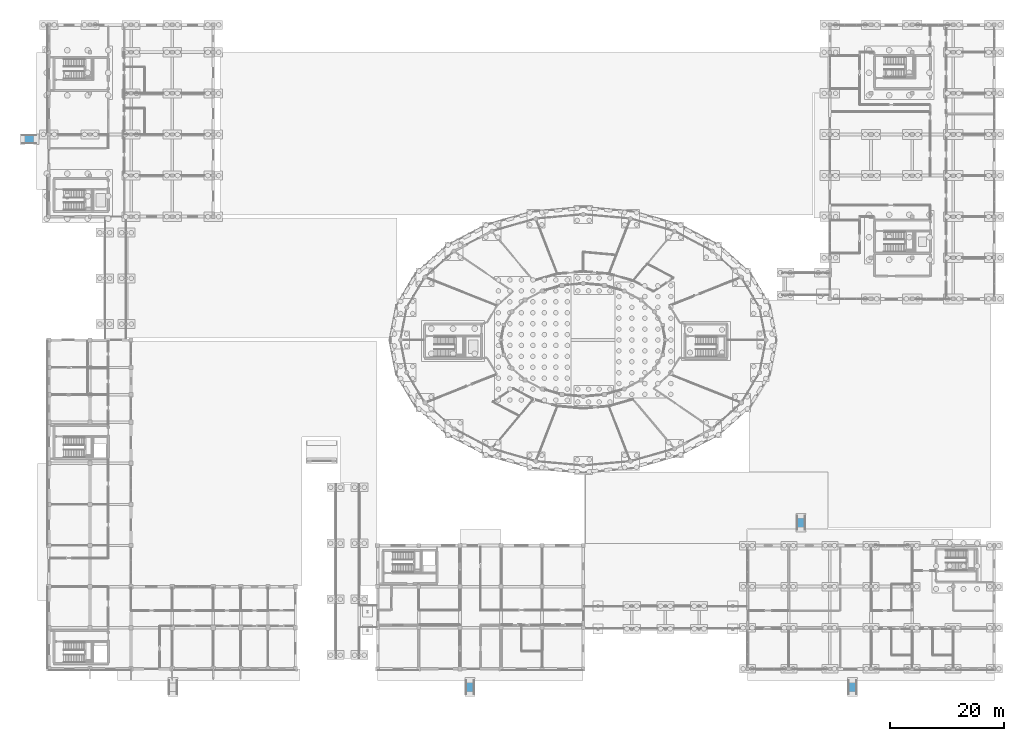
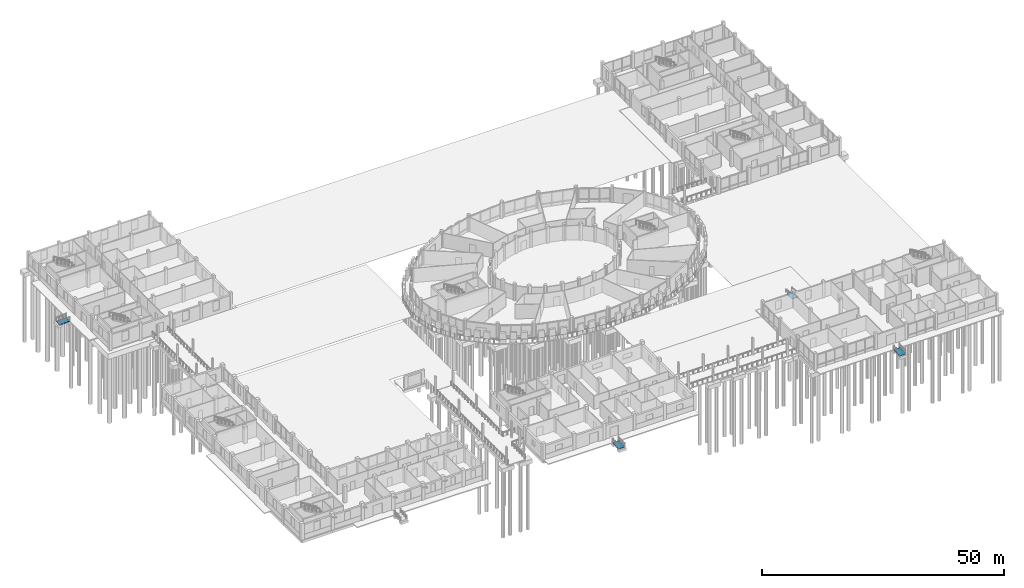
# One storey, part 87 of 98: 4 ramp flights, 4 elements without a shape of their own.
"""IFC4 building model written with IfcOpenShell, lengths in metres."""

from ifc_helpers import new_model, si_unit, direction, frame, origin, place, context, subcontext, project, spatial, polyline, outline, extrude, material, layer, layer_set, type_object, element, aggregate, save


model = new_model("IFC4")

# Units and contexts
model_context = context("Model", 3, precision=1e-05, world=origin(), true_north=direction((0.0, 1.0)))
body_context = subcontext(model_context, "Body", "Model", "MODEL_VIEW")
ifc_project = project(units=[si_unit("LENGTHUNIT", "METRE"), si_unit("AREAUNIT", "SQUARE_METRE"), si_unit("VOLUMEUNIT", "CUBIC_METRE"), si_unit("PLANEANGLEUNIT", "RADIAN"), si_unit("MASSUNIT", "GRAM", prefix="KILO")], contexts=[model_context])

# Site, building, storey
site_placement = place(None, origin())
site = spatial("IfcSite", under=ifc_project, at=site_placement, CompositionType="ELEMENT")
building_placement = place(site_placement, origin())
building = spatial("IfcBuilding", under=site, at=building_placement, Name="Zornivar Specialist Clinic", CompositionType="ELEMENT")
storey_placement = place(building_placement, origin())
storey = spatial("IfcBuildingStorey", under=building, at=storey_placement, Name="L00", CompositionType="ELEMENT", Elevation=0.0)

# Ramp, ramp flight
ifc_material_1 = material(Name="Concrete C30/37", Category="concrete")
ramp_type = type_object("IfcRampType", Name="RMP-PED-1500", PredefinedType="STRAIGHT_RUN_RAMP", material=ifc_material_1)
ramp_1_placement = place(storey_placement, origin())
ramp_1 = element("IfcRamp", 1, at=ramp_1_placement, inside=storey, type_object=ramp_type, Name="ramp:ped:L00:PR2", PredefinedType="STRAIGHT_RUN_RAMP")
ifc_material_2 = material(Name="Concrete C30/37", Category="concrete")
ifc_layer = layer(ifc_material_2, 0.199951171875)
ifc_layer_set = layer_set([ifc_layer], Name="Concrete C30/37")
ramp_flight_type = type_object("IfcRampFlightType", Name="RMP-PED-1500-FLT", PredefinedType="STRAIGHT", material=ifc_layer_set)
ramp_flight_1_placement = place(storey_placement, frame((73.0, -4.39990234375, -0.179931640625), z_axis=(0.0, -0.074764728906, 0.997201201018), x_axis=(1.0, 0.0, 0.0)))
ramp_flight_1 = element("IfcRampFlight", 2, at=ramp_flight_1_placement, type_object=ramp_flight_type, Name="ramp:ped:L00:PR2:flt", PredefinedType="STRAIGHT", context=body_context, shape_type="SweptSolid", body=[
    extrude(outline(polyline([(0.0, 0.0), (1.5, 0.0), (1.5, 2.4066380398461975), (0.0, 2.4066380398461975), (0.0, 0.0)])), origin(), (0.0, 0.0, -1.0), 0.199951171875),
])
aggregate(ramp_1, [ramp_flight_1])

ramp_2_placement = place(storey_placement, origin())
ramp_2 = element("IfcRamp", 3, at=ramp_2_placement, inside=storey, type_object=ramp_type, Name="ramp:ped:L00:PR3", PredefinedType="STRAIGHT_RUN_RAMP")
ramp_flight_2_placement = place(storey_placement, frame((140.0, -4.39990234375, -0.179931640625), z_axis=(0.0, -0.074764728906, 0.997201201018), x_axis=(1.0, 0.0, 0.0)))
ramp_flight_2 = element("IfcRampFlight", 4, at=ramp_flight_2_placement, type_object=ramp_flight_type, Name="ramp:ped:L00:PR3:flt", PredefinedType="STRAIGHT", context=body_context, shape_type="SweptSolid", body=[
    extrude(outline(polyline([(0.0, 0.0), (1.5, 0.0), (1.5, 2.4066380398461975), (0.0, 2.4066380398461975), (0.0, 0.0)])), origin(), (0.0, 0.0, -1.0), 0.199951171875),
])
aggregate(ramp_2, [ramp_flight_2])

ramp_3_placement = place(storey_placement, origin())
ramp_3 = element("IfcRamp", 5, at=ramp_3_placement, inside=storey, type_object=ramp_type, Name="ramp:ped:L00:PR4", PredefinedType="STRAIGHT_RUN_RAMP")
ramp_flight_3_placement = place(storey_placement, frame((-4.60009765625, 92.0, -0.179931640625), z_axis=(-0.074757166413, 0.0, 0.997201767984), x_axis=(0.0, 1.0, 0.0)))
ramp_flight_3 = element("IfcRampFlight", 6, at=ramp_flight_3_placement, type_object=ramp_flight_type, Name="ramp:ped:L00:PR4:flt", PredefinedType="STRAIGHT", context=body_context, shape_type="SweptSolid", body=[
    extrude(outline(polyline([(0.0, 0.0), (1.5, 0.0), (1.5, -2.406881497239878), (0.0, -2.406881497239878), (0.0, 0.0)])), origin(), (0.0, 0.0, -1.0), 0.199951171875),
])
aggregate(ramp_3, [ramp_flight_3])

ramp_4_placement = place(storey_placement, origin())
ramp_4 = element("IfcRamp", 7, at=ramp_4_placement, inside=storey, type_object=ramp_type, Name="ramp:ped:L00:PR5", PredefinedType="STRAIGHT_RUN_RAMP")
ramp_flight_4_placement = place(storey_placement, frame((131.0, 26.800048828125, -0.179931640625), z_axis=(0.0, 0.074757166413, 0.997201767984), x_axis=(1.0, 0.0, 0.0)))
ramp_flight_4 = element("IfcRampFlight", 8, at=ramp_flight_4_placement, type_object=ramp_flight_type, Name="ramp:ped:L00:PR5:flt", PredefinedType="STRAIGHT", context=body_context, shape_type="SweptSolid", body=[
    extrude(outline(polyline([(0.0, 0.0), (1.5, 0.0), (1.5, -2.406881497239878), (0.0, -2.406881497239878), (0.0, 0.0)])), origin(), (0.0, 0.0, -1.0), 0.199951171875),
])
aggregate(ramp_4, [ramp_flight_4])

save(model, "model.ifc")
